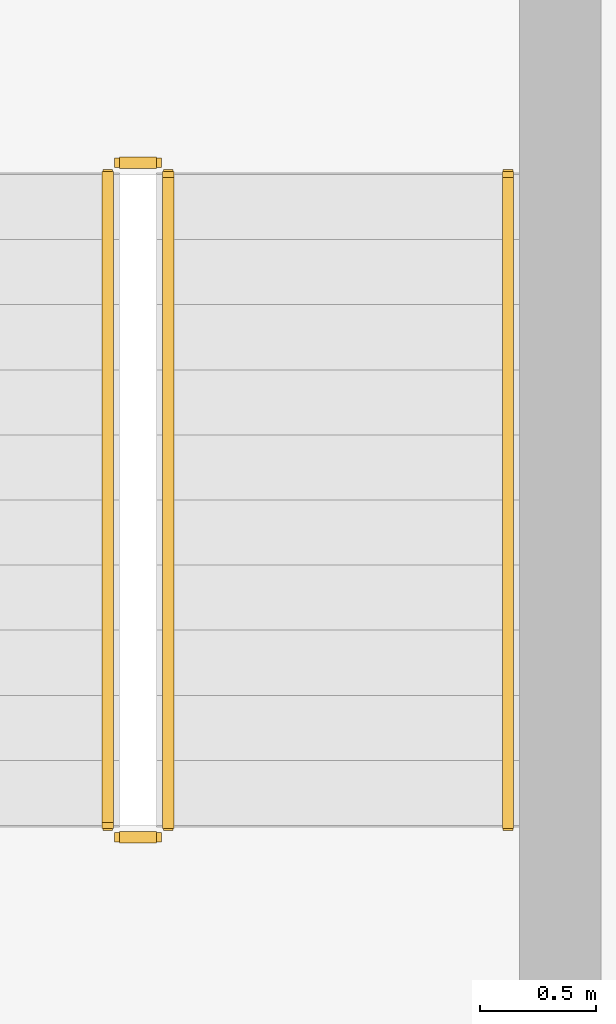
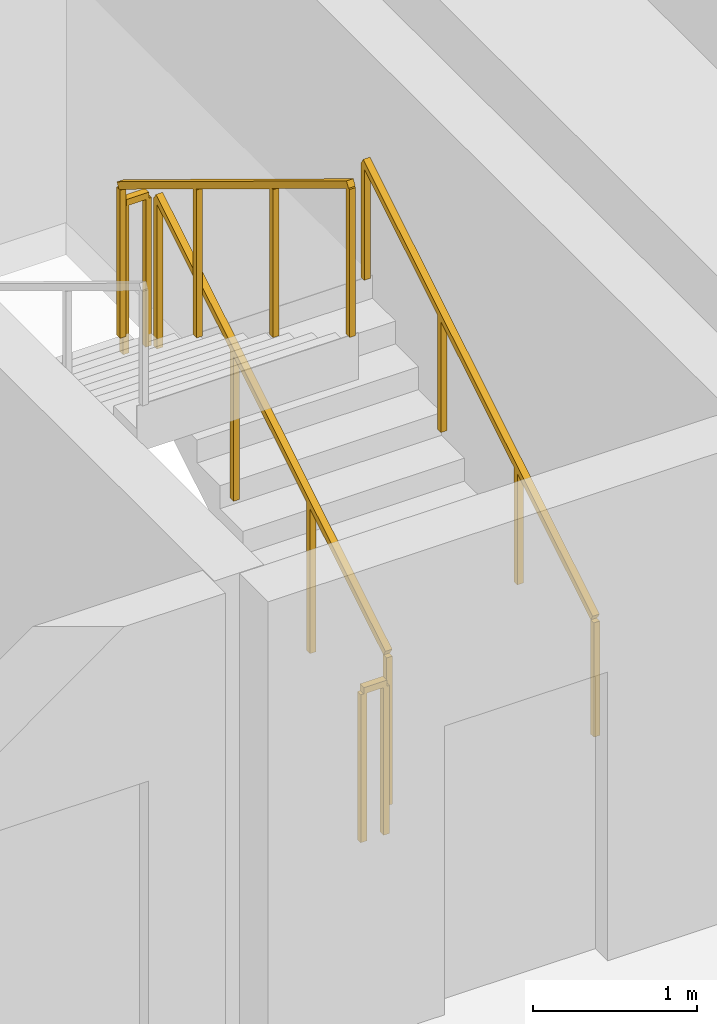
# One storey, part 17 of 17: 5 railings.
"""IFC4 building model written with IfcOpenShell, lengths in metres."""

from ifc_helpers import new_model, si_unit, direction, frame, origin, origin_2d, place, context, subcontext, project, spatial, rectangle, extrude, material, type_object, element, save


model = new_model("IFC4")

# Units and contexts
model_context = context("Model", 3, precision=1e-05, world=origin(), true_north=direction((0.0, 1.0)))
body_context = subcontext(model_context, "Body", "Model", "MODEL_VIEW")
ifc_project = project(units=[si_unit("LENGTHUNIT", "METRE"), si_unit("AREAUNIT", "SQUARE_METRE"), si_unit("VOLUMEUNIT", "CUBIC_METRE"), si_unit("PLANEANGLEUNIT", "RADIAN"), si_unit("MASSUNIT", "GRAM", prefix="KILO")], contexts=[model_context])

# Site, building, storey
site_placement = place(None, origin())
site = spatial("IfcSite", under=ifc_project, at=site_placement, CompositionType="ELEMENT")
building_placement = place(site_placement, origin())
building = spatial("IfcBuilding", under=site, at=building_placement, Name="Kaelvorn Grand Hotel", CompositionType="ELEMENT")
storey_placement = place(building_placement, frame((0.0, 0.0, 31.39990234375)))
storey = spatial("IfcBuildingStorey", under=building, at=storey_placement, Name="L05", CompositionType="ELEMENT", Elevation=31.39990234375)

# Railings
ifc_material = material(Name="Stainless Steel", Category="steel")
railing_type_1 = type_object("IfcRailingType", Name="RL-HANDRAIL-900", PredefinedType="HANDRAIL", material=ifc_material)
railing_1_placement = place(storey_placement, frame((66.550048828125, 41.760009765625, 0.170654296875)))
element("IfcRailing", 1, at=railing_1_placement, inside=storey, type_object=railing_type_1, Name="L05 ST3 stair handrail 1", PredefinedType="HANDRAIL", context=body_context, shape_type="SweptSolid", body=[
    extrude(rectangle(XDim=0.048095703125, YDim=0.048095703125, at=origin_2d()), frame((0.0, 0.0, 0.8759765625), z_axis=(0.0, 0.854202870247, 0.519939858505), x_axis=(-1.0, 0.0, 0.0)), (0.0, 0.0, 1.0), 3.278076171875),
    extrude(rectangle(XDim=0.0419921875, YDim=0.0419921875, at=origin_2d()), origin(), (0.0, 0.0, 1.0), 0.851806640625),
    extrude(rectangle(XDim=0.0419921875, YDim=0.0419921875, at=origin_2d()), frame((0.0, 0.933349609375, 0.568115234375)), (0.0, 0.0, 1.0), 0.851806640625),
    extrude(rectangle(XDim=0.0419921875, YDim=0.0419921875, at=origin_2d()), frame((0.0, 1.86669921875, 1.13623046875)), (0.0, 0.0, 1.0), 0.851806640625),
    extrude(rectangle(XDim=0.0419921875, YDim=0.0419921875, at=origin_2d()), frame((0.0, 2.800048828125, 1.704345703125)), (0.0, 0.0, 1.0), 0.851806640625),
])
railing_type_2 = type_object("IfcRailingType", Name="RL-STAIR-GUARD-1150", PredefinedType="BALUSTRADE", material=ifc_material)
railing_2_placement = place(storey_placement, frame((65.090087890625, 41.760009765625, 0.170654296875)))
element("IfcRailing", 2, at=railing_2_placement, inside=storey, type_object=railing_type_2, Name="L05 ST3 stair guard 1", PredefinedType="BALUSTRADE", context=body_context, shape_type="SweptSolid", body=[
    extrude(rectangle(XDim=0.048095703125, YDim=0.048095703125, at=origin_2d()), frame((0.0, 0.0, 1.1259765625), z_axis=(0.0, 0.854202870247, 0.519939858505), x_axis=(-1.0, 0.0, 0.0)), (0.0, 0.0, 1.0), 3.278076171875),
    extrude(rectangle(XDim=0.0419921875, YDim=0.0419921875, at=origin_2d()), origin(), (0.0, 0.0, 1.0), 1.101806640625),
    extrude(rectangle(XDim=0.0419921875, YDim=0.0419921875, at=origin_2d()), frame((0.0, 0.933349609375, 0.568115234375)), (0.0, 0.0, 1.0), 1.101806640625),
    extrude(rectangle(XDim=0.0419921875, YDim=0.0419921875, at=origin_2d()), frame((0.0, 1.86669921875, 1.13623046875)), (0.0, 0.0, 1.0), 1.101806640625),
    extrude(rectangle(XDim=0.0419921875, YDim=0.0419921875, at=origin_2d()), frame((0.0, 2.800048828125, 1.704345703125)), (0.0, 0.0, 1.0), 1.101806640625),
])
railing_3_placement = place(storey_placement, frame((65.0400390625, 44.610107421875, 1.875)))
element("IfcRailing", 3, at=railing_3_placement, inside=storey, type_object=railing_type_2, Name="L05 ST3 stair guard 2", PredefinedType="BALUSTRADE", context=body_context, shape_type="SweptSolid", body=[
    extrude(rectangle(XDim=0.048095703125, YDim=0.048095703125, at=origin_2d()), frame((0.0, 0.0, 1.1259765625), z_axis=(-1.0, 0.0, 0.0), x_axis=(0.0, -1.0, 0.0)), (0.0, 0.0, 1.0), 0.16015625),
    extrude(rectangle(XDim=0.0419921875, YDim=0.0419921875, at=origin_2d()), origin(), (0.0, 0.0, 1.0), 1.101806640625),
    extrude(rectangle(XDim=0.0419921875, YDim=0.0419921875, at=origin_2d()), frame((-0.16015625, 0.0, 0.0)), (0.0, 0.0, 1.0), 1.101806640625),
])
railing_4_placement = place(storey_placement, frame((64.830078125, 44.56005859375, 2.045654296875)))
element("IfcRailing", 4, at=railing_4_placement, inside=storey, type_object=railing_type_2, Name="L05 ST3 stair guard 3", PredefinedType="BALUSTRADE", context=body_context, shape_type="SweptSolid", body=[
    extrude(rectangle(XDim=0.048095703125, YDim=0.048095703125, at=origin_2d()), frame((0.0, 0.0, 1.1259765625), z_axis=(0.0, -0.854202870247, 0.519939858505), x_axis=(1.0, 0.0, 0.0)), (0.0, 0.0, 1.0), 3.278076171875),
    extrude(rectangle(XDim=0.0419921875, YDim=0.0419921875, at=origin_2d()), origin(), (0.0, 0.0, 1.0), 1.101806640625),
    extrude(rectangle(XDim=0.0419921875, YDim=0.0419921875, at=origin_2d()), frame((0.0, -0.933349609375, 0.568115234375)), (0.0, 0.0, 1.0), 1.101806640625),
    extrude(rectangle(XDim=0.0419921875, YDim=0.0419921875, at=origin_2d()), frame((0.0, -1.86669921875, 1.13623046875)), (0.0, 0.0, 1.0), 1.101806640625),
    extrude(rectangle(XDim=0.0419921875, YDim=0.0419921875, at=origin_2d()), frame((0.0, -2.800048828125, 1.704345703125)), (0.0, 0.0, 1.0), 1.101806640625),
])
railing_5_placement = place(storey_placement, frame((65.0400390625, 41.7099609375, 0.0)))
element("IfcRailing", 5, at=railing_5_placement, inside=storey, type_object=railing_type_2, Name="L05 ST3 stair guard 4", PredefinedType="BALUSTRADE", context=body_context, shape_type="SweptSolid", body=[
    extrude(rectangle(XDim=0.048095703125, YDim=0.048095703125, at=origin_2d()), frame((0.0, 0.0, 1.1259765625), z_axis=(-1.0, 0.0, 0.0), x_axis=(0.0, -1.0, 0.0)), (0.0, 0.0, 1.0), 0.16015625),
    extrude(rectangle(XDim=0.0419921875, YDim=0.0419921875, at=origin_2d()), origin(), (0.0, 0.0, 1.0), 1.101806640625),
    extrude(rectangle(XDim=0.0419921875, YDim=0.0419921875, at=origin_2d()), frame((-0.16015625, 0.0, 0.0)), (0.0, 0.0, 1.0), 1.101806640625),
])

save(model, "model.ifc")
